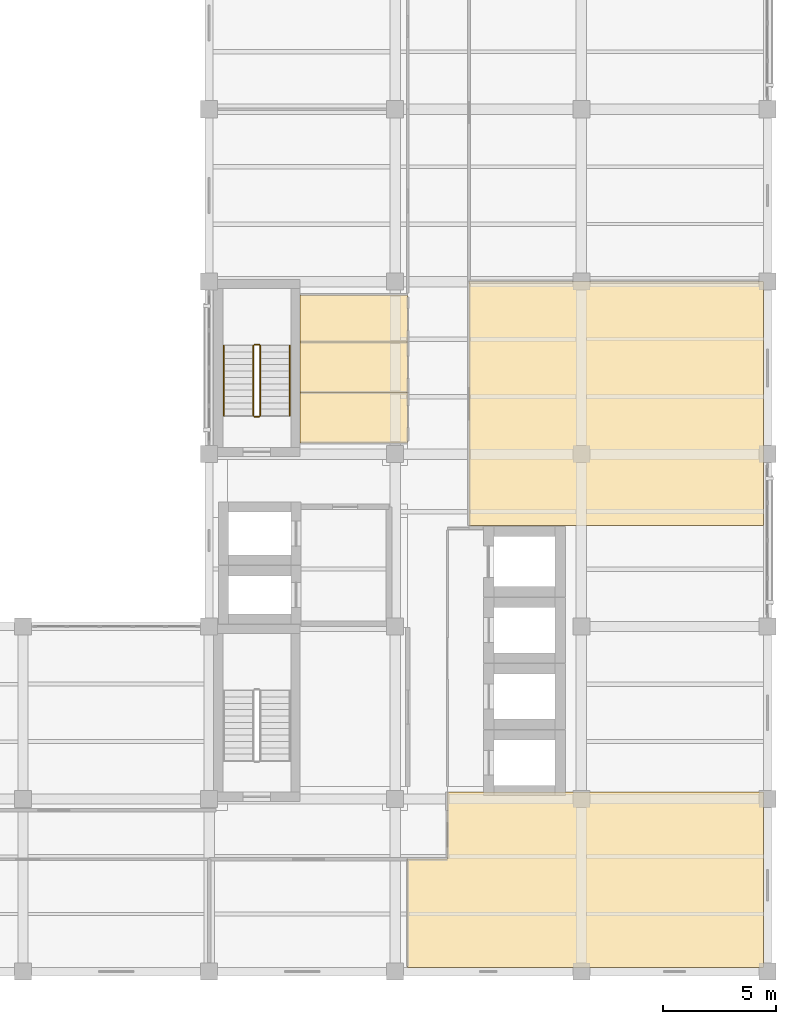
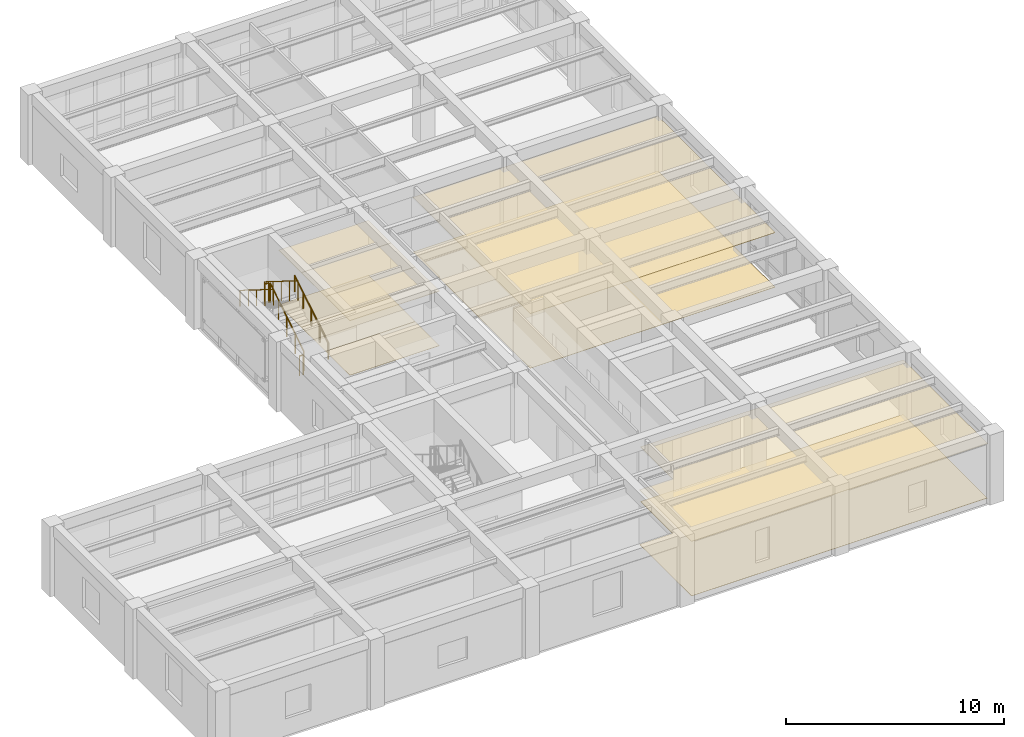
# One storey, part 12 of 13: 10 coverings, 6 railings.
"""IFC4 building model written with IfcOpenShell, lengths in metres."""

from ifc_helpers import new_model, si_unit, direction, frame, origin, origin_2d, place, context, subcontext, project, spatial, polyline, circle, outline, extrude, material, layer, layer_set, type_object, element, save


model = new_model("IFC4")

# Units and contexts
model_context = context("Model", 3, precision=1e-05, world=origin(), true_north=direction((0.0, 1.0)))
body_context = subcontext(model_context, "Body", "Model", "MODEL_VIEW")
ifc_project = project(units=[si_unit("LENGTHUNIT", "METRE"), si_unit("AREAUNIT", "SQUARE_METRE"), si_unit("VOLUMEUNIT", "CUBIC_METRE"), si_unit("PLANEANGLEUNIT", "RADIAN"), si_unit("MASSUNIT", "GRAM", prefix="KILO")], contexts=[model_context])

# Site, building, storey
site_placement = place(None, origin())
site = spatial("IfcSite", under=ifc_project, at=site_placement, CompositionType="ELEMENT")
building_placement = place(site_placement, origin())
building = spatial("IfcBuilding", under=site, at=building_placement, Name="Qandaris Square Conservatory and Botanical Centre", CompositionType="ELEMENT")
storey_placement = place(building_placement, frame((0.0, 0.0, 57.60009765625)))
storey = spatial("IfcBuildingStorey", under=building, at=storey_placement, Name="L13", CompositionType="ELEMENT", Elevation=57.60009765625)

# Coverings
ifc_material_1 = material(Name="Gypsum Plasterboard", Category="gypsum")
ifc_layer_1 = layer(ifc_material_1, 0.02490234375)
ifc_layer_set_1 = layer_set([ifc_layer_1], Name="Gypsum Plasterboard")
covering_type_1 = type_object("IfcCoveringType", Name="Perforated Acoustic Lab Ceiling Tile", PredefinedType="CEILING", material=ifc_layer_set_1)
covering_1_placement = place(storey_placement, frame((0.0, 0.0, 3.0498046875)))
element("IfcCovering", 1, at=covering_1_placement, inside=storey, type_object=covering_type_1, Name="Accessible Toilet L13 Ceiling", PredefinedType="CEILING", context=body_context, shape_type="SweptSolid", body=[
    extrude(outline(polyline([(147.949951171875, 42.1201171875), (147.949951171875, 39.89990234375), (143.199951171875, 39.89990234375), (143.199951171875, 42.1201171875), (147.949951171875, 42.1201171875)])), origin(), (0.0, 0.0, 1.0), 0.025146484375),
])
covering_2_placement = place(storey_placement, frame((0.0, 0.0, 3.0498046875)))
element("IfcCovering", 2, at=covering_2_placement, inside=storey, type_object=covering_type_1, Name="Staff Male Toilet L13 Ceiling", PredefinedType="CEILING", context=body_context, shape_type="SweptSolid", body=[
    extrude(outline(polyline([(147.949951171875, 44.340087890625), (147.949951171875, 42.1201171875), (143.199951171875, 42.1201171875), (143.199951171875, 44.340087890625), (147.949951171875, 44.340087890625)])), origin(), (0.0, 0.0, 1.0), 0.025146484375),
])
covering_3_placement = place(storey_placement, frame((0.0, 0.0, 3.0498046875)))
element("IfcCovering", 3, at=covering_3_placement, inside=storey, type_object=covering_type_1, Name="Staff Female Toilet L13 Ceiling", PredefinedType="CEILING", context=body_context, shape_type="SweptSolid", body=[
    extrude(outline(polyline([(147.949951171875, 46.419921875), (147.949951171875, 44.340087890625), (143.199951171875, 44.340087890625), (143.199951171875, 46.419921875), (147.949951171875, 46.419921875)])), origin(), (0.0, 0.0, 1.0), 0.025146484375),
])
covering_4_placement = place(storey_placement, frame((0.0, 0.0, 3.0498046875)))
element("IfcCovering", 4, at=covering_4_placement, inside=storey, type_object=covering_type_1, Name="Floor L13 Instrument and Balance Room Ceiling", PredefinedType="CEILING", context=body_context, shape_type="SweptSolid", body=[
    extrude(outline(polyline([(147.949951171875, 21.550048828125), (149.699951171875, 21.550048828125), (149.699951171875, 23.699951171875), (149.699951171875, 24.5), (163.6201171875, 24.5), (163.6201171875, 16.780029296875), (147.949951171875, 16.780029296875), (147.949951171875, 21.550048828125)])), origin(), (0.0, 0.0, 1.0), 0.025146484375),
])
covering_5_placement = place(storey_placement, frame((0.0, 0.0, 3.0498046875)))
element("IfcCovering", 5, at=covering_5_placement, inside=storey, type_object=covering_type_1, Name="Palaeobotany Pollen Analytical Laboratory Ceiling", PredefinedType="CEILING", context=body_context, shape_type="SweptSolid", body=[
    extrude(outline(polyline([(150.64990234375, 47.0), (163.6201171875, 47.0), (163.6201171875, 36.25), (150.64990234375, 36.25), (150.64990234375, 47.0)])), origin(), (0.0, 0.0, 1.0), 0.025146484375),
])
ifc_material_2 = material(Name="Epoxy Resin Screed", Category="finish")
ifc_layer_2 = layer(ifc_material_2, 0.014892578125)
ifc_layer_set_2 = layer_set([ifc_layer_2], Name="Epoxy Resin Screed")
covering_type_2 = type_object("IfcCoveringType", Name="Seamless Epoxy Laboratory Flooring", PredefinedType="FLOORING", material=ifc_layer_set_2)
covering_6_placement = place(storey_placement, origin())
element("IfcCovering", 6, at=covering_6_placement, inside=storey, type_object=covering_type_2, Name="Accessible Toilet L13 Flooring", PredefinedType="FLOORING", context=body_context, shape_type="SweptSolid", body=[
    extrude(outline(polyline([(147.949951171875, 42.1201171875), (147.949951171875, 39.89990234375), (143.199951171875, 39.89990234375), (143.199951171875, 42.1201171875), (147.949951171875, 42.1201171875)])), origin(), (0.0, 0.0, 1.0), 0.014892578125),
])
covering_7_placement = place(storey_placement, origin())
element("IfcCovering", 7, at=covering_7_placement, inside=storey, type_object=covering_type_2, Name="Staff Male Toilet L13 Flooring", PredefinedType="FLOORING", context=body_context, shape_type="SweptSolid", body=[
    extrude(outline(polyline([(147.949951171875, 44.340087890625), (147.949951171875, 42.1201171875), (143.199951171875, 42.1201171875), (143.199951171875, 44.340087890625), (147.949951171875, 44.340087890625)])), origin(), (0.0, 0.0, 1.0), 0.014892578125),
])
covering_8_placement = place(storey_placement, origin())
element("IfcCovering", 8, at=covering_8_placement, inside=storey, type_object=covering_type_2, Name="Staff Female Toilet L13 Flooring", PredefinedType="FLOORING", context=body_context, shape_type="SweptSolid", body=[
    extrude(outline(polyline([(147.949951171875, 46.419921875), (147.949951171875, 44.340087890625), (143.199951171875, 44.340087890625), (143.199951171875, 46.419921875), (147.949951171875, 46.419921875)])), origin(), (0.0, 0.0, 1.0), 0.014892578125),
])
covering_9_placement = place(storey_placement, origin())
element("IfcCovering", 9, at=covering_9_placement, inside=storey, type_object=covering_type_2, Name="Floor L13 Instrument and Balance Room Flooring", PredefinedType="FLOORING", context=body_context, shape_type="SweptSolid", body=[
    extrude(outline(polyline([(147.949951171875, 21.550048828125), (149.699951171875, 21.550048828125), (149.699951171875, 23.699951171875), (149.699951171875, 24.5), (163.6201171875, 24.5), (163.6201171875, 16.780029296875), (147.949951171875, 16.780029296875), (147.949951171875, 21.550048828125)])), origin(), (0.0, 0.0, 1.0), 0.014892578125),
])
covering_10_placement = place(storey_placement, origin())
element("IfcCovering", 10, at=covering_10_placement, inside=storey, type_object=covering_type_2, Name="Palaeobotany Pollen Analytical Laboratory Flooring", PredefinedType="FLOORING", context=body_context, shape_type="SweptSolid", body=[
    extrude(outline(polyline([(150.64990234375, 47.0), (163.6201171875, 47.0), (163.6201171875, 36.25), (150.64990234375, 36.25), (150.64990234375, 47.0)])), origin(), (0.0, 0.0, 1.0), 0.014892578125),
])

# Railings
ifc_material_3 = material(Name="Stainless Steel", Category="steel")
railing_type_1 = type_object("IfcRailingType", Name="Stair Tubular Handrail 920mm", PredefinedType="HANDRAIL", material=ifc_material_3)
railing_1_placement = place(storey_placement, frame((142.75, 41.10009765625, 0.349853515625)))
element("IfcRailing", 11, at=railing_1_placement, inside=storey, type_object=railing_type_1, Name="L13 ST-2 stair handrail 1", PredefinedType="HANDRAIL", context=body_context, shape_type="SweptSolid", body=[
    extrude(circle(Radius=0.02392578125, at=origin_2d()), frame((0.0, 0.0, 0.89599609375), z_axis=(0.0, 0.847979421464, 0.530029150871), x_axis=(-1.0, 0.0, 0.0)), (0.0, 0.0, 1.0), 3.632080078125),
    extrude(circle(Radius=0.02099609375, at=origin_2d()), origin(), (0.0, 0.0, 1.0), 0.871826171875),
    extrude(circle(Radius=0.02099609375, at=origin_2d()), frame((0.0, 0.77001953125, 0.481201171875)), (0.0, 0.0, 1.0), 0.871826171875),
    extrude(circle(Radius=0.02099609375, at=origin_2d()), frame((0.0, 1.5400390625, 0.96240234375)), (0.0, 0.0, 1.0), 0.871826171875),
    extrude(circle(Radius=0.02099609375, at=origin_2d()), frame((0.0, 2.309814453125, 1.44384765625)), (0.0, 0.0, 1.0), 0.871826171875),
    extrude(circle(Radius=0.02099609375, at=origin_2d()), frame((0.0, 3.079833984375, 1.925048828125)), (0.0, 0.0, 1.0), 0.871826171875),
])
railing_2_placement = place(storey_placement, frame((139.85009765625, 44.179931640625, 2.449951171875)))
element("IfcRailing", 12, at=railing_2_placement, inside=storey, type_object=railing_type_1, Name="L13 ST-2 stair handrail 2", PredefinedType="HANDRAIL", context=body_context, shape_type="SweptSolid", body=[
    extrude(circle(Radius=0.02392578125, at=origin_2d()), frame((0.0, 0.0, 0.89599609375), z_axis=(0.0, -0.847979421464, 0.530029150871), x_axis=(1.0, 0.0, 0.0)), (0.0, 0.0, 1.0), 3.632080078125),
    extrude(circle(Radius=0.02099609375, at=origin_2d()), origin(), (0.0, 0.0, 1.0), 0.871826171875),
    extrude(circle(Radius=0.02099609375, at=origin_2d()), frame((0.0, -0.77001953125, 0.481201171875)), (0.0, 0.0, 1.0), 0.871826171875),
    extrude(circle(Radius=0.02099609375, at=origin_2d()), frame((0.0, -1.5400390625, 0.96240234375)), (0.0, 0.0, 1.0), 0.871826171875),
    extrude(circle(Radius=0.02099609375, at=origin_2d()), frame((0.0, -2.309814453125, 1.44384765625)), (0.0, 0.0, 1.0), 0.871826171875),
    extrude(circle(Radius=0.02099609375, at=origin_2d()), frame((0.0, -3.079833984375, 1.925048828125)), (0.0, 0.0, 1.0), 0.871826171875),
])
railing_type_2 = type_object("IfcRailingType", Name="Stairwell & Atrium Guardrail 1120mm", PredefinedType="GUARDRAIL", material=ifc_material_3)
railing_3_placement = place(storey_placement, frame((141.449951171875, 41.10009765625, 0.1748046875)))
element("IfcRailing", 13, at=railing_3_placement, inside=storey, type_object=railing_type_2, Name="L13 ST-2 stair guard 1", PredefinedType="GUARDRAIL", context=body_context, shape_type="SweptSolid", body=[
    extrude(circle(Radius=0.02392578125, at=origin_2d()), frame((0.0, 0.0, 1.09619140625), z_axis=(0.0, 0.847979421464, 0.530029150871), x_axis=(-1.0, 0.0, 0.0)), (0.0, 0.0, 1.0), 3.632080078125),
    extrude(circle(Radius=0.02099609375, at=origin_2d()), origin(), (0.0, 0.0, 1.0), 1.072021484375),
    extrude(circle(Radius=0.02099609375, at=origin_2d()), frame((0.0, 0.77001953125, 0.481201171875)), (0.0, 0.0, 1.0), 1.072021484375),
    extrude(circle(Radius=0.02099609375, at=origin_2d()), frame((0.0, 1.5400390625, 0.96240234375)), (0.0, 0.0, 1.0), 1.072021484375),
    extrude(circle(Radius=0.02099609375, at=origin_2d()), frame((0.0, 2.309814453125, 1.44384765625)), (0.0, 0.0, 1.0), 1.072021484375),
    extrude(circle(Radius=0.02099609375, at=origin_2d()), frame((0.0, 3.079833984375, 1.925048828125)), (0.0, 0.0, 1.0), 1.072021484375),
])
railing_4_placement = place(storey_placement, frame((141.39990234375, 44.22998046875, 2.099853515625)))
element("IfcRailing", 14, at=railing_4_placement, inside=storey, type_object=railing_type_2, Name="L13 ST-2 stair guard 2", PredefinedType="GUARDRAIL", context=body_context, shape_type="SweptSolid", body=[
    extrude(circle(Radius=0.02392578125, at=origin_2d()), frame((0.0, 0.0, 1.09619140625), z_axis=(-1.0, 0.0, 0.0), x_axis=(0.0, -1.0, 0.0)), (0.0, 0.0, 1.0), 0.199951171875),
    extrude(circle(Radius=0.02099609375, at=origin_2d()), origin(), (0.0, 0.0, 1.0), 1.072021484375),
    extrude(circle(Radius=0.02099609375, at=origin_2d()), frame((-0.199951171875, 0.0, 0.0)), (0.0, 0.0, 1.0), 1.072021484375),
])
railing_5_placement = place(storey_placement, frame((141.14990234375, 44.179931640625, 2.27490234375)))
element("IfcRailing", 15, at=railing_5_placement, inside=storey, type_object=railing_type_2, Name="L13 ST-2 stair guard 3", PredefinedType="GUARDRAIL", context=body_context, shape_type="SweptSolid", body=[
    extrude(circle(Radius=0.02392578125, at=origin_2d()), frame((0.0, 0.0, 1.09619140625), z_axis=(0.0, -0.847979421464, 0.530029150871), x_axis=(1.0, 0.0, 0.0)), (0.0, 0.0, 1.0), 3.632080078125),
    extrude(circle(Radius=0.02099609375, at=origin_2d()), origin(), (0.0, 0.0, 1.0), 1.072021484375),
    extrude(circle(Radius=0.02099609375, at=origin_2d()), frame((0.0, -0.77001953125, 0.481201171875)), (0.0, 0.0, 1.0), 1.072021484375),
    extrude(circle(Radius=0.02099609375, at=origin_2d()), frame((0.0, -1.5400390625, 0.96240234375)), (0.0, 0.0, 1.0), 1.072021484375),
    extrude(circle(Radius=0.02099609375, at=origin_2d()), frame((0.0, -2.309814453125, 1.44384765625)), (0.0, 0.0, 1.0), 1.072021484375),
    extrude(circle(Radius=0.02099609375, at=origin_2d()), frame((0.0, -3.079833984375, 1.925048828125)), (0.0, 0.0, 1.0), 1.072021484375),
])
railing_6_placement = place(storey_placement, frame((141.39990234375, 41.050048828125, 0.0)))
element("IfcRailing", 16, at=railing_6_placement, inside=storey, type_object=railing_type_2, Name="L13 ST-2 stair guard 4", PredefinedType="GUARDRAIL", context=body_context, shape_type="SweptSolid", body=[
    extrude(circle(Radius=0.02392578125, at=origin_2d()), frame((0.0, 0.0, 1.09619140625), z_axis=(-1.0, 0.0, 0.0), x_axis=(0.0, -1.0, 0.0)), (0.0, 0.0, 1.0), 0.199951171875),
    extrude(circle(Radius=0.02099609375, at=origin_2d()), origin(), (0.0, 0.0, 1.0), 1.072021484375),
    extrude(circle(Radius=0.02099609375, at=origin_2d()), frame((-0.199951171875, 0.0, 0.0)), (0.0, 0.0, 1.0), 1.072021484375),
])

save(model, "model.ifc")
